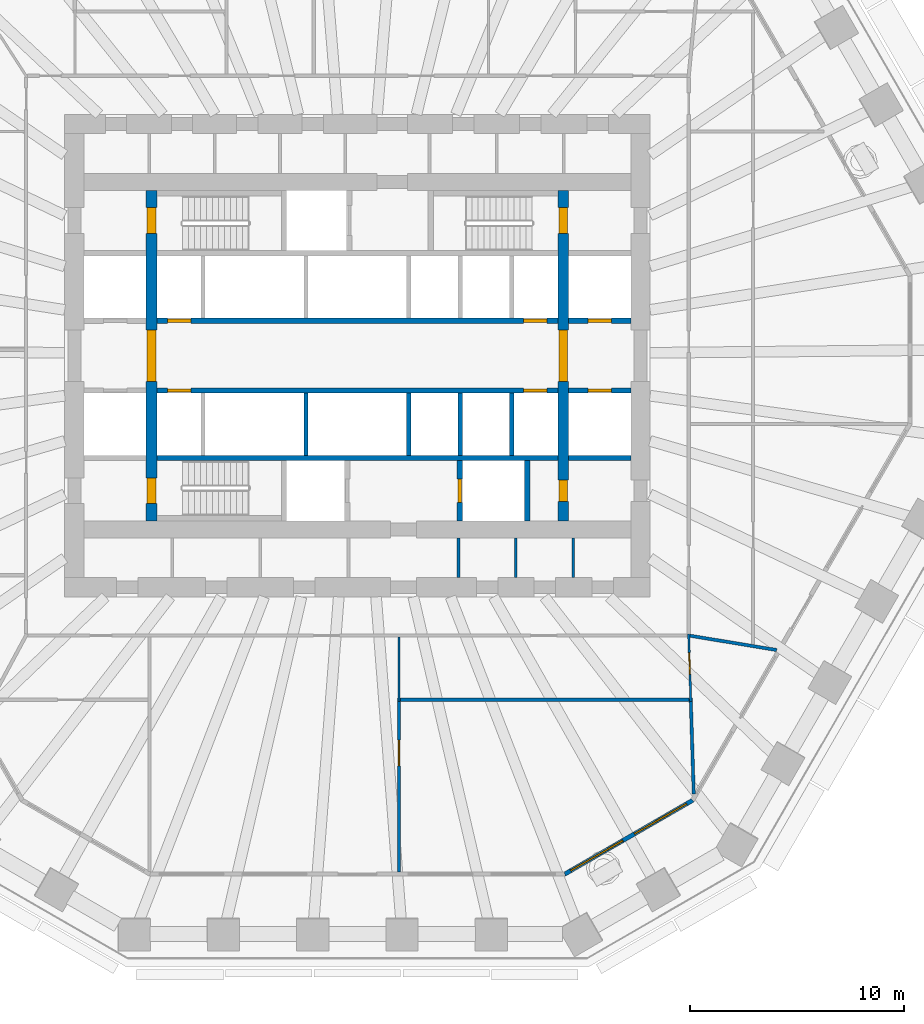
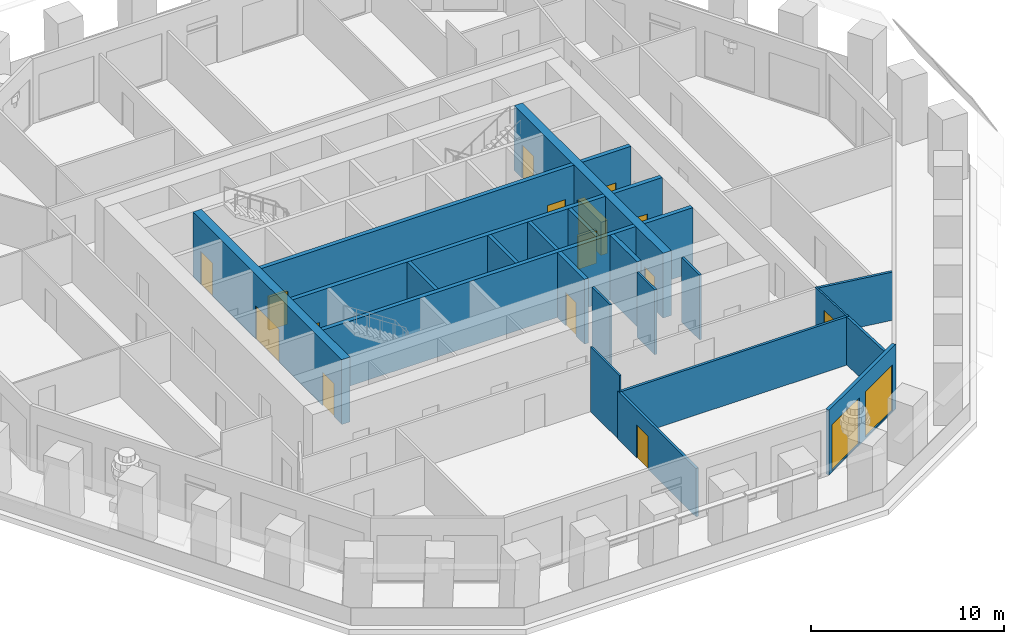
# One storey, part 5 of 13: 24 walls, 15 doors, 2 windows, 17 openings.
"""IFC4 building model written with IfcOpenShell, lengths in metres."""

import ifcopenshell
import ifcopenshell.guid

model = None  # the IFC model being written
_history = None  # IfcOwnerHistory: only IFC2X3 demands one
_inside = {}  # id of a spatial element -> (the spatial element, [elements in it])
_under = {}  # id of a project, library or spatial element -> (it, [spatial elements below it])
_declared = {}  # id of a project -> (the project, [libraries it declares])
_typed = {}  # id of a type object -> (the type object, [elements of that type])
_made_of = {}  # id of a material, layer set ... -> (it, [elements and type objects made of it])


def new_model(schema):
    """Start an empty IFC model of exactly this schema.

    Asked for "IFC4X3", IfcOpenShell would pick the latest addendum, in which some entities
    have other attributes; the version numbers below select the first issue.
    IFC2X3 requires an IfcOwnerHistory on every rooted entity: one is made here for all.
    """
    global model, _history
    if schema == "IFC4X3":
        model = ifcopenshell.file(schema_version=(4, 3, 0, 0))
    else:
        model = ifcopenshell.file(schema=schema)
    _inside.clear()
    _under.clear()
    _declared.clear()
    _typed.clear()
    _made_of.clear()
    _history = None
    if model.schema == "IFC2X3":
        org = make("IfcOrganization", Name="unknown")
        user = make(
            "IfcPersonAndOrganization",
            ThePerson=make("IfcPerson", FamilyName="unknown"),
            TheOrganization=org,
        )
        app = make(
            "IfcApplication",
            ApplicationDeveloper=org,
            Version="unknown",
            ApplicationFullName="unknown",
            ApplicationIdentifier="unknown",
        )
        _history = make(
            "IfcOwnerHistory",
            OwningUser=user,
            OwningApplication=app,
            ChangeAction="ADDED",
            CreationDate=0,
        )
    return model


def make(cls, **values):
    """One entity of the class cls with the attributes given. An attribute that is None is left unset."""
    return model.create_entity(
        cls, **{name: value for name, value in values.items() if value is not None}
    )


def rooted(cls, **values):
    """An entity with a GlobalId (a new one), such as an element, a storey or a relation."""
    return make(cls, GlobalId=ifcopenshell.guid.new(), OwnerHistory=_history, **values)


def si_unit(unit_type, name, prefix=None):
    """IfcSIUnit, for example si_unit("LENGTHUNIT", "METRE", prefix="MILLI")."""
    return make("IfcSIUnit", UnitType=unit_type, Prefix=prefix, Name=name)


def assignment(units):
    """IfcUnitAssignment: the units of a project."""
    return None if units is None else make("IfcUnitAssignment", Units=units)


def point(xyz):
    """IfcCartesianPoint."""
    return None if xyz is None else make("IfcCartesianPoint", Coordinates=xyz)


def direction(xyz):
    """IfcDirection."""
    return None if xyz is None else make("IfcDirection", DirectionRatios=xyz)


def frame(location, z_axis=None, x_axis=None):
    """IfcAxis2Placement3D, a coordinate frame: its origin and axes. An axis left out is left unset."""
    return make(
        "IfcAxis2Placement3D",
        Location=point(location),
        Axis=direction(z_axis),
        RefDirection=direction(x_axis),
    )


def frame_2d(location, x_axis=None):
    """IfcAxis2Placement2D, a coordinate frame in the plane: its origin and x axis."""
    return make(
        "IfcAxis2Placement2D", Location=point(location), RefDirection=direction(x_axis)
    )


def origin():
    """The frame at (0, 0, 0) with its axes left unset."""
    return frame((0.0, 0.0, 0.0))


def place(relative_to, where):
    """IfcLocalPlacement: puts the frame where relative to a parent placement (None: the world)."""
    return make(
        "IfcLocalPlacement", PlacementRelTo=relative_to, RelativePlacement=where
    )


def context(
    kind, dimensions, precision=None, world=None, true_north=None, identifier=None
):
    """IfcGeometricRepresentationContext, for example the 3D "Model" context."""
    return make(
        "IfcGeometricRepresentationContext",
        ContextIdentifier=identifier,
        ContextType=kind,
        CoordinateSpaceDimension=dimensions,
        Precision=precision,
        WorldCoordinateSystem=world,
        TrueNorth=true_north,
    )


def subcontext(parent, identifier, kind, view, scale=None):
    """IfcGeometricRepresentationSubContext, for example "Body" below "Model"."""
    return make(
        "IfcGeometricRepresentationSubContext",
        ContextIdentifier=identifier,
        ContextType=kind,
        ParentContext=parent,
        TargetScale=scale,
        TargetView=view,
    )


def project(units=None, contexts=None):
    """IfcProject with its units and contexts."""
    return rooted(
        "IfcProject",
        Name="project",
        RepresentationContexts=contexts,
        UnitsInContext=assignment(units),
    )


def spatial(cls, under=None, at=None, **own):
    """A site, building, storey or space (cls), placed at a placement, below another one or the project."""
    s = rooted(cls, ObjectPlacement=at, **own)
    if under is not None:
        _under.setdefault(under.id(), (under, []))[1].append(s)
    return s


def polyline(points):
    """IfcPolyline through the points."""
    return make("IfcPolyline", Points=[point(p) for p in points])


def profile(cls, at=None, kind="AREA", **sizes):
    """A parametric profile (cls). Its sizes go by their IFC names, for example OverallWidth=200.0."""
    return make(cls, ProfileType=kind, Position=at, **sizes)


def rectangle(**sizes):
    """IfcRectangleProfileDef."""
    return profile("IfcRectangleProfileDef", **sizes)


def outline(outer, holes=None, kind="AREA"):
    """IfcArbitraryClosedProfileDef: a profile drawn as a closed curve; with holes, ...WithVoids."""
    if holes is None:
        return make("IfcArbitraryClosedProfileDef", ProfileType=kind, OuterCurve=outer)
    return make(
        "IfcArbitraryProfileDefWithVoids",
        ProfileType=kind,
        OuterCurve=outer,
        InnerCurves=holes,
    )


def extrude(swept, where, along, depth):
    """IfcExtrudedAreaSolid: the profile swept, set in the frame where, extruded along a direction by depth."""
    return make(
        "IfcExtrudedAreaSolid",
        SweptArea=swept,
        Position=where,
        ExtrudedDirection=direction(along),
        Depth=depth,
    )


def shape(context_of_items, identifier, shape_type, items):
    """IfcShapeRepresentation: the items that make up one representation, for example the "Body"."""
    return make(
        "IfcShapeRepresentation",
        ContextOfItems=context_of_items,
        RepresentationIdentifier=identifier,
        RepresentationType=shape_type,
        Items=items,
    )


def material(Name=None, Category=None):
    """IfcMaterial."""
    return make("IfcMaterial", Name=Name, Category=Category)


def layer(
    of_material, thickness, ventilated=None, Name=None, Category=None, Priority=None
):
    """IfcMaterialLayer: one layer of a wall or slab, of a material (None: an air gap)."""
    return make(
        "IfcMaterialLayer",
        Material=of_material,
        LayerThickness=thickness,
        IsVentilated=ventilated,
        Name=Name,
        Category=Category,
        Priority=Priority,
    )


def layer_set(layers, Name=None):
    """IfcMaterialLayerSet."""
    return make("IfcMaterialLayerSet", MaterialLayers=layers, LayerSetName=Name)


def made_of(thing, what):
    """Note that an element or type object is made of a material, layer set ...; save() writes the relation."""
    if what is not None:
        _made_of.setdefault(what.id(), (what, []))[1].append(thing)
    return thing


def type_object(cls, material=None, **own):
    """A type object (cls), such as IfcWallType, which elements share."""
    return made_of(rooted(cls, **own), material)


def element(
    cls,
    number,
    at=None,
    inside=None,
    cuts=None,
    type_object=None,
    material=None,
    context=None,
    identifier="Body",
    shape_type=None,
    held_by="IfcProductDefinitionShape",
    body=None,
    shapes=None,
    **own,
):
    """One element of the class cls, such as IfcWall. Its Tag is "e" and its number.

    at: its placement. inside: the storey or other place that contains it. cuts: it is an
    opening in that element (IfcRelVoidsElement). A single representation is given by context,
    identifier, shape_type and body (its items); several are given by shapes. held_by: the class
    of the entity that holds the representations. save() writes the other relations.
    """
    e = rooted(cls, Tag="e%d" % number, ObjectPlacement=at, **own)
    if body is not None:
        shapes = [shape(context, identifier, shape_type, body)]
    if shapes is not None:
        e.Representation = make(held_by, Representations=shapes)
    if inside is not None:
        _inside.setdefault(inside.id(), (inside, []))[1].append(e)
    if cuts is not None:
        rooted(
            "IfcRelVoidsElement", RelatingBuildingElement=cuts, RelatedOpeningElement=e
        )
    if type_object is not None:
        _typed.setdefault(type_object.id(), (type_object, []))[1].append(e)
    return made_of(e, material)


def fill(opening, filler):
    """IfcRelFillsElement: the door or window that sits in an opening."""
    return rooted(
        "IfcRelFillsElement",
        RelatingOpeningElement=opening,
        RelatedBuildingElement=filler,
    )


def aggregate(whole, parts):
    """IfcRelAggregates: a whole, such as a stair, and the parts it consists of."""
    return rooted("IfcRelAggregates", RelatingObject=whole, RelatedObjects=parts)


def save(model, path):
    """Write the relations noted so far, then the file.

    IfcRelAggregates (storeys below a building ...), IfcRelContainedInSpatialStructure (elements
    in a storey), IfcRelDefinesByType, IfcRelAssociatesMaterial and IfcRelDeclares: one each for
    every whole, place, type object, material and project.
    """
    for whole, parts in _under.values():
        aggregate(whole, parts)
    for where, things in _inside.values():
        rooted(
            "IfcRelContainedInSpatialStructure",
            RelatedElements=things,
            RelatingStructure=where,
        )
    for kind, things in _typed.values():
        rooted("IfcRelDefinesByType", RelatedObjects=things, RelatingType=kind)
    for what, things in _made_of.values():
        rooted("IfcRelAssociatesMaterial", RelatedObjects=things, RelatingMaterial=what)
    for by, libraries in _declared.values():
        rooted("IfcRelDeclares", RelatingContext=by, RelatedDefinitions=libraries)
    model.write(path)


model = new_model("IFC4")

# Units and contexts
model_context = context("Model", 3, precision=1e-05, world=origin(), true_north=direction((0.0, 1.0)))
body_context = subcontext(model_context, "Body", "Model", "MODEL_VIEW")
ifc_project = project(units=[si_unit("LENGTHUNIT", "METRE"), si_unit("AREAUNIT", "SQUARE_METRE"), si_unit("VOLUMEUNIT", "CUBIC_METRE"), si_unit("PLANEANGLEUNIT", "RADIAN"), si_unit("MASSUNIT", "GRAM", prefix="KILO")], contexts=[model_context])

# Site, building, storey
site_placement = place(None, origin())
site = spatial("IfcSite", under=ifc_project, at=site_placement, CompositionType="ELEMENT")
building_placement = place(site_placement, origin())
building = spatial("IfcBuilding", under=site, at=building_placement, Name="Frailejon Research Tower", CompositionType="ELEMENT")
storey_placement = place(building_placement, frame((0.0, 0.0, 23.39990234375)))
storey = spatial("IfcBuildingStorey", under=building, at=storey_placement, Name="L05", CompositionType="ELEMENT", Elevation=23.39990234375)

# Walls
ifc_material_1 = material(Name="Plasterboard on steel studs", Category="steel")
ifc_layer_1 = layer(ifc_material_1, 0.125)
ifc_layer_set_1 = layer_set([ifc_layer_1], Name="Core partition 125")
wall_type_1 = type_object("IfcWallType", Name="Core partition 125", PredefinedType="PARTITIONING", material=ifc_layer_set_1)
for number, where, z_axis, x_axis, name in (
    (1, (4.71240234375, -10.35009765625, 0.0), (0.0, 0.0, 1.0), (0.0, 1.0, 0.0), "Core partition"),
    (2, (7.3916015625, -10.35009765625, 0.0), (0.0, 0.0, 1.0), (0.0, 1.0, 0.0), "Core partition"),
    (3, (10.07080078125, -10.35009765625, 0.0), (0.0, 0.0, 1.0), (0.0, 1.0, 0.0), "Core partition"),
):
    element("IfcWall", number, at=place(storey_placement, frame(where, z_axis=z_axis, x_axis=x_axis)), inside=storey, type_object=wall_type_1, Name=name, PredefinedType="PARTITIONING", context=body_context, shape_type="SweptSolid", body=[
        extrude(rectangle(XDim=1.85009765625, YDim=0.125, at=frame_2d((0.925048828125, 0.0))), origin(), (0.0, 0.0, 1.0), 4.10009765625),
    ])

# Wall, openings, doors
ifc_material_2 = material(Name="Concrete C70/85", Category="concrete")
ifc_layer_2 = layer(ifc_material_2, 0.5)
ifc_layer_set_2 = layer_set([ifc_layer_2], Name="Core shear wall 500 C70/85")
wall_type_2 = type_object("IfcWallType", Name="Core shear wall 500 C70/85", PredefinedType="SHEAR", material=ifc_layer_set_2)
wall_1_placement = place(storey_placement, frame((-9.60009765625, -7.699951171875, 0.0), z_axis=(0.0, 0.0, 1.0), x_axis=(0.0, 1.0, 0.0)))
wall_1 = element("IfcWall", 4, at=wall_1_placement, inside=storey, type_object=wall_type_2, Name="Core shear wall", PredefinedType="SHEAR", context=body_context, shape_type="SweptSolid", body=[
    extrude(rectangle(XDim=15.39990234375, YDim=0.5, at=frame_2d((7.699951171875, 0.0))), origin(), (0.0, 0.0, 1.0), 4.10009765625),
])
opening_1_placement = place(wall_1_placement, frame((6.5, 0.0, 0.0)))
opening_1 = element("IfcOpeningElement", 5, at=opening_1_placement, cuts=wall_1, Name="Opening D2", PredefinedType="OPENING", context=body_context, shape_type="SweptSolid", body=[
    extrude(rectangle(XDim=2.39990234375, YDim=2.10009765625, at=frame_2d((1.199951171875, 1.050048828125))), frame((0.0, 0.260009765625, 0.0), z_axis=(0.0, -1.0, 0.0), x_axis=(1.0, 0.0, 0.0)), (0.0, 0.0, 1.0), 0.52001953125),
])
opening_2_placement = place(wall_1_placement, frame((13.39990234375, 0.0, 0.0)))
opening_2 = element("IfcOpeningElement", 6, at=opening_2_placement, cuts=wall_1, Name="Opening D1", PredefinedType="OPENING", context=body_context, shape_type="SweptSolid", body=[
    extrude(rectangle(XDim=1.199951171875, YDim=2.10009765625, at=frame_2d((0.60009765625, 1.050048828125))), frame((0.0, 0.260009765625, 0.0), z_axis=(0.0, -1.0, 0.0), x_axis=(1.0, 0.0, 0.0)), (0.0, 0.0, 1.0), 0.52001953125),
])
opening_3_placement = place(wall_1_placement, frame((0.800048828125, 0.0, 0.0)))
opening_3 = element("IfcOpeningElement", 7, at=opening_3_placement, cuts=wall_1, Name="Opening D1", PredefinedType="OPENING", context=body_context, shape_type="SweptSolid", body=[
    extrude(rectangle(XDim=1.199951171875, YDim=2.10009765625, at=frame_2d((0.60009765625, 1.050048828125))), frame((0.0, 0.260009765625, 0.0), z_axis=(0.0, -1.0, 0.0), x_axis=(1.0, 0.0, 0.0)), (0.0, 0.0, 1.0), 0.52001953125),
])
ifc_material_3 = material(Name="Steel", Category="steel")
door_type_1 = type_object("IfcDoorType", Name="Lobby double door", OperationType="DOUBLE_DOOR_SINGLE_SWING", PredefinedType="DOOR", material=ifc_material_3)
door_1_placement = place(opening_1_placement, origin())
door_1 = element("IfcDoor", 8, at=door_1_placement, inside=storey, type_object=door_type_1, Name="Lobby door", OperationType="DOUBLE_DOOR_SINGLE_SWING", OverallHeight=2.10009765625, OverallWidth=2.39990234375, PredefinedType="DOOR", context=body_context, shape_type="SweptSolid", body=[
    extrude(rectangle(XDim=2.39990234375, YDim=2.10009765625, at=frame_2d((1.199951171875, 1.050048828125))), frame((0.0, 0.199951171875, 0.0), z_axis=(0.0, -1.0, 0.0), x_axis=(1.0, 0.0, 0.0)), (0.0, 0.0, 1.0), 0.39990234375),
])
fill(opening_1, door_1)
ifc_material_4 = material(Name="Steel", Category="steel")
door_type_2 = type_object("IfcDoorType", Name="Stair door", OperationType="SINGLE_SWING_LEFT", PredefinedType="DOOR", material=ifc_material_4)
door_2_placement = place(opening_2_placement, origin())
door_2 = element("IfcDoor", 9, at=door_2_placement, inside=storey, type_object=door_type_2, Name="Stair door ST1", OperationType="SINGLE_SWING_LEFT", OverallHeight=2.10009765625, OverallWidth=1.199951171875, PredefinedType="DOOR", context=body_context, shape_type="SweptSolid", body=[
    extrude(rectangle(XDim=1.199951171875, YDim=2.10009765625, at=frame_2d((0.60009765625, 1.050048828125))), frame((0.0, 0.199951171875, 0.0), z_axis=(0.0, -1.0, 0.0), x_axis=(1.0, 0.0, 0.0)), (0.0, 0.0, 1.0), 0.39990234375),
])
fill(opening_2, door_2)
door_3_placement = place(opening_3_placement, origin())
door_3 = element("IfcDoor", 10, at=door_3_placement, inside=storey, type_object=door_type_2, Name="Stair door ST2", OperationType="SINGLE_SWING_LEFT", OverallHeight=2.10009765625, OverallWidth=1.199951171875, PredefinedType="DOOR", context=body_context, shape_type="SweptSolid", body=[
    extrude(rectangle(XDim=1.199951171875, YDim=2.10009765625, at=frame_2d((0.60009765625, 1.050048828125))), frame((0.0, 0.199951171875, 0.0), z_axis=(0.0, -1.0, 0.0), x_axis=(1.0, 0.0, 0.0)), (0.0, 0.0, 1.0), 0.39990234375),
])
fill(opening_3, door_3)

wall_2_placement = place(storey_placement, frame((9.60009765625, -7.699951171875, 0.0), z_axis=(0.0, 0.0, 1.0), x_axis=(0.0, 1.0, 0.0)))
wall_2 = element("IfcWall", 11, at=wall_2_placement, inside=storey, type_object=wall_type_2, Name="Core shear wall", PredefinedType="SHEAR", context=body_context, shape_type="SweptSolid", body=[
    extrude(rectangle(XDim=15.39990234375, YDim=0.5, at=frame_2d((7.699951171875, 0.0))), origin(), (0.0, 0.0, 1.0), 4.10009765625),
])
opening_4_placement = place(wall_2_placement, frame((6.5, 0.0, 0.0)))
opening_4 = element("IfcOpeningElement", 12, at=opening_4_placement, cuts=wall_2, Name="Opening D2", PredefinedType="OPENING", context=body_context, shape_type="SweptSolid", body=[
    extrude(rectangle(XDim=2.39990234375, YDim=2.10009765625, at=frame_2d((1.199951171875, 1.050048828125))), frame((0.0, 0.260009765625, 0.0), z_axis=(0.0, -1.0, 0.0), x_axis=(1.0, 0.0, 0.0)), (0.0, 0.0, 1.0), 0.52001953125),
])
opening_5_placement = place(wall_2_placement, frame((13.39990234375, 0.0, 0.0)))
opening_5 = element("IfcOpeningElement", 13, at=opening_5_placement, cuts=wall_2, Name="Opening D1", PredefinedType="OPENING", context=body_context, shape_type="SweptSolid", body=[
    extrude(rectangle(XDim=1.199951171875, YDim=2.10009765625, at=frame_2d((0.60009765625, 1.050048828125))), frame((0.0, 0.260009765625, 0.0), z_axis=(0.0, -1.0, 0.0), x_axis=(1.0, 0.0, 0.0)), (0.0, 0.0, 1.0), 0.52001953125),
])
opening_6_placement = place(wall_2_placement, frame((0.89990234375, 0.0, 0.0)))
opening_6 = element("IfcOpeningElement", 14, at=opening_6_placement, cuts=wall_2, Name="Opening D4", PredefinedType="OPENING", context=body_context, shape_type="SweptSolid", body=[
    extrude(rectangle(XDim=1.0, YDim=2.10009765625, at=frame_2d((0.5, 1.050048828125))), frame((0.0, 0.260009765625, 0.0), z_axis=(0.0, -1.0, 0.0), x_axis=(1.0, 0.0, 0.0)), (0.0, 0.0, 1.0), 0.52001953125),
])
door_4_placement = place(opening_4_placement, origin())
door_4 = element("IfcDoor", 15, at=door_4_placement, inside=storey, type_object=door_type_1, Name="Lobby door", OperationType="DOUBLE_DOOR_SINGLE_SWING", OverallHeight=2.10009765625, OverallWidth=2.39990234375, PredefinedType="DOOR", context=body_context, shape_type="SweptSolid", body=[
    extrude(rectangle(XDim=2.39990234375, YDim=2.10009765625, at=frame_2d((1.199951171875, 1.050048828125))), frame((0.0, 0.199951171875, 0.0), z_axis=(0.0, -1.0, 0.0), x_axis=(1.0, 0.0, 0.0)), (0.0, 0.0, 1.0), 0.39990234375),
])
fill(opening_4, door_4)
ifc_material_5 = material(Name="Steel", Category="steel")
door_type_3 = type_object("IfcDoorType", Name="Service door", OperationType="SINGLE_SWING_LEFT", PredefinedType="DOOR", material=ifc_material_5)
door_5_placement = place(opening_6_placement, origin())
door_5 = element("IfcDoor", 16, at=door_5_placement, inside=storey, type_object=door_type_3, Name="Riser door", OperationType="SINGLE_SWING_LEFT", OverallHeight=2.10009765625, OverallWidth=1.0, PredefinedType="DOOR", context=body_context, shape_type="SweptSolid", body=[
    extrude(rectangle(XDim=1.0, YDim=2.10009765625, at=frame_2d((0.5, 1.050048828125))), frame((0.0, 0.199951171875, 0.0), z_axis=(0.0, -1.0, 0.0), x_axis=(1.0, 0.0, 0.0)), (0.0, 0.0, 1.0), 0.39990234375),
])
fill(opening_6, door_5)
door_6_placement = place(opening_5_placement, origin())
door_6 = element("IfcDoor", 17, at=door_6_placement, inside=storey, type_object=door_type_2, Name="Stair door ST3", OperationType="SINGLE_SWING_LEFT", OverallHeight=2.10009765625, OverallWidth=1.199951171875, PredefinedType="DOOR", context=body_context, shape_type="SweptSolid", body=[
    extrude(rectangle(XDim=1.199951171875, YDim=2.10009765625, at=frame_2d((0.60009765625, 1.050048828125))), frame((0.0, 0.199951171875, 0.0), z_axis=(0.0, -1.0, 0.0), x_axis=(1.0, 0.0, 0.0)), (0.0, 0.0, 1.0), 0.39990234375),
])
fill(opening_5, door_6)

# Wall
ifc_material_6 = material(Name="Gypsum board and masonry partition", Category="masonry")
ifc_layer_3 = layer(ifc_material_6, 0.14990234375)
ifc_layer_set_3 = layer_set([ifc_layer_3], Name="Laboratory partition, blockwork 150")
wall_type_3 = type_object("IfcWallType", Name="Laboratory partition, blockwork 150", PredefinedType="PARTITIONING", material=ifc_layer_set_3)
wall_3_placement = place(storey_placement, frame((2.014404296875, -16.050048828125, 0.0), z_axis=(0.0, 0.0, 1.0), x_axis=(1.0, 0.0, 0.0)))
element("IfcWall", 18, at=wall_3_placement, inside=storey, type_object=wall_type_3, Name="T:IW:L05:020", PredefinedType="PARTITIONING", context=body_context, shape_type="SweptSolid", body=[
    extrude(rectangle(XDim=13.4560546875, YDim=0.14990234375, at=frame_2d((6.72802734375, 0.0))), origin(), (0.0, 0.0, 1.0), 3.050048828125),
])

# Wall, opening, door
wall_4_placement = place(storey_placement, frame((1.939208984375, -24.07666015625, 0.0), z_axis=(0.0, 0.0, 1.0), x_axis=(0.0, 1.0, 0.0)))
wall_4 = element("IfcWall", 19, at=wall_4_placement, inside=storey, type_object=wall_type_3, Name="T:IW:L05:022", PredefinedType="PARTITIONING", context=body_context, shape_type="SweptSolid", body=[
    extrude(rectangle(XDim=8.1015625, YDim=0.14990234375, at=frame_2d((4.05078125, 0.0))), origin(), (0.0, 0.0, 1.0), 3.050048828125),
])
opening_7_placement = place(wall_4_placement, frame((4.94482421875, 0.0, 0.0)))
opening_7 = element("IfcOpeningElement", 20, at=opening_7_placement, cuts=wall_4, Name="Opening D1288", PredefinedType="OPENING", context=body_context, shape_type="SweptSolid", body=[
    extrude(rectangle(XDim=1.199951171875, YDim=2.10009765625, at=frame_2d((0.60009765625, 1.050048828125))), frame((0.0, 0.0849609375, 0.0), z_axis=(0.0, -1.0, 0.0), x_axis=(1.0, 0.0, 0.0)), (0.0, 0.0, 1.0), 0.169921875),
])
ifc_material_7 = material(Name="Timber door leaf", Category="wood")
door_type_4 = type_object("IfcDoorType", Name="Door laboratory, timber, vision panel 1200", OperationType="NOTDEFINED", PredefinedType="DOOR", material=ifc_material_7)
door_7_placement = place(opening_7_placement, origin())
door_7 = element("IfcDoor", 21, at=door_7_placement, inside=storey, type_object=door_type_4, Name="D1288", OperationType="DOUBLE_DOOR_SINGLE_SWING", OverallHeight=2.10009765625, OverallWidth=1.199951171875, PredefinedType="DOOR", context=body_context, shape_type="SweptSolid", body=[
    extrude(rectangle(XDim=1.199951171875, YDim=2.10009765625, at=frame_2d((0.60009765625, 1.050048828125))), frame((0.0, 0.02490234375, 0.0), z_axis=(0.0, -1.0, 0.0), x_axis=(1.0, 0.0, 0.0)), (0.0, 0.0, 1.0), 0.050048828125),
])
fill(opening_7, door_7)

# Walls
wall_5_placement = place(storey_placement, frame((15.54296875, -15.97509765625, 0.0), z_axis=(0.0, 0.0, 1.0), x_axis=(0.031800347957, -0.999494241039, 0.0)))
element("IfcWall", 22, at=wall_5_placement, inside=storey, type_object=wall_type_3, Name="T:IW:L05:023", PredefinedType="PARTITIONING", context=body_context, shape_type="SweptSolid", body=[
    extrude(rectangle(XDim=4.46044921875, YDim=0.14990234375, at=frame_2d((2.230224609375, 0.0))), origin(), (0.0, 0.0, 1.0), 3.050048828125),
])
wall_6_placement = place(storey_placement, frame((15.499267578125, -13.05810546875, 0.0), z_axis=(0.0, 0.0, 1.0), x_axis=(0.986647891311, -0.162867856163, 0.0)))
element("IfcWall", 23, at=wall_6_placement, inside=storey, type_object=wall_type_3, Name="T:IW:L05:024", PredefinedType="PARTITIONING", context=body_context, shape_type="SweptSolid", body=[
    extrude(rectangle(XDim=4.11181640625, YDim=0.14990234375, at=frame_2d((2.055908203125, 0.0))), origin(), (0.0, 0.0, 1.0), 3.050048828125),
])
ifc_material_8 = material(Name="Gypsum board and masonry partition", Category="masonry")
ifc_layer_4 = layer(ifc_material_8, 0.10009765625)
ifc_layer_set_4 = layer_set([ifc_layer_4], Name="Partition, gypsum on steel studs 100")
wall_type_4 = type_object("IfcWallType", Name="Partition, gypsum on steel studs 100", PredefinedType="PARTITIONING", material=ifc_layer_set_4)
wall_7_placement = place(storey_placement, frame((1.939208984375, -16.125, 0.0), z_axis=(0.0, 0.0, 1.0), x_axis=(0.0, 1.0, 0.0)))
element("IfcWall", 24, at=wall_7_placement, inside=storey, type_object=wall_type_4, Name="T:IW:L05:033", PredefinedType="PARTITIONING", context=body_context, shape_type="SweptSolid", body=[
    extrude(rectangle(XDim=3.0, YDim=0.10009765625, at=frame_2d((1.5, 0.0))), origin(), (0.0, 0.0, 1.0), 4.10009765625),
])

# Wall, opening, door
wall_8_placement = place(storey_placement, frame((15.447509765625, -12.97509765625, 0.0), z_axis=(0.0, 0.0, 1.0), x_axis=(0.031761985657, -0.999495460854, 0.0)))
wall_8 = element("IfcWall", 25, at=wall_8_placement, inside=storey, type_object=wall_type_4, Name="T:IW:L05:034", PredefinedType="PARTITIONING", context=body_context, shape_type="SweptSolid", body=[
    extrude(rectangle(XDim=3.151611328125, YDim=0.10009765625, at=frame_2d((1.57568359375, 0.0))), origin(), (0.0, 0.0, 1.0), 3.050048828125),
])
opening_8_placement = place(wall_8_placement, frame((0.880615234375, 0.0, 0.0)))
opening_8 = element("IfcOpeningElement", 26, at=opening_8_placement, cuts=wall_8, Name="Opening D1290", PredefinedType="OPENING", context=body_context, shape_type="SweptSolid", body=[
    extrude(rectangle(XDim=1.0, YDim=2.10009765625, at=frame_2d((0.5, 1.050048828125))), frame((0.0, 0.06005859375, 0.0), z_axis=(0.0, -1.0, 0.0), x_axis=(1.0, 0.0, 0.0)), (0.0, 0.0, 1.0), 0.1201171875),
])
ifc_material_9 = material(Name="Timber door leaf", Category="wood")
door_type_5 = type_object("IfcDoorType", Name="Door single leaf, timber, steel frame 1000", OperationType="NOTDEFINED", PredefinedType="DOOR", material=ifc_material_9)
door_8_placement = place(opening_8_placement, origin())
door_8 = element("IfcDoor", 27, at=door_8_placement, inside=storey, type_object=door_type_5, Name="D1290", OperationType="SINGLE_SWING_LEFT", OverallHeight=2.10009765625, OverallWidth=1.0, PredefinedType="DOOR", context=body_context, shape_type="SweptSolid", body=[
    extrude(rectangle(XDim=1.0, YDim=2.10009765625, at=frame_2d((0.5, 1.050048828125))), frame((0.0, 0.02490234375, 0.0), z_axis=(0.0, -1.0, 0.0), x_axis=(1.0, 0.0, 0.0)), (0.0, 0.0, 1.0), 0.050048828125),
])
fill(opening_8, door_8)

# Walls
ifc_material_10 = material(Name="Concrete C70/85", Category="concrete")
ifc_layer_5 = layer(ifc_material_10, 0.199951171875)
ifc_layer_set_5 = layer_set([ifc_layer_5], Name="Shaft wall 200 C70/85")
wall_type_5 = type_object("IfcWallType", Name="Shaft wall 200 C70/85", PredefinedType="SOLIDWALL", material=ifc_layer_set_5)
for number, where, z_axis, x_axis, name in (
    (28, (-2.39990234375, -4.64990234375, 0.0), (0.0, 0.0, 1.0), (0.0, 1.0, 0.0), "Shaft wall"),
    (29, (2.39990234375, -4.64990234375, 0.0), (0.0, 0.0, 1.0), (0.0, 1.0, 0.0), "Shaft wall"),
    (30, (4.800048828125, -4.64990234375, 0.0), (0.0, 0.0, 1.0), (0.0, 1.0, 0.0), "Shaft wall"),
    (31, (7.199951171875, -4.64990234375, 0.0), (0.0, 0.0, 1.0), (0.0, 1.0, 0.0), "Shaft wall"),
):
    element("IfcWall", number, at=place(storey_placement, frame(where, z_axis=z_axis, x_axis=x_axis)), inside=storey, type_object=wall_type_5, Name=name, PredefinedType="SOLIDWALL", context=body_context, shape_type="SweptSolid", body=[
        extrude(rectangle(XDim=2.89990234375, YDim=0.199951171875, at=frame_2d((1.449951171875, 0.0))), origin(), (0.0, 0.0, 1.0), 4.10009765625),
    ])

# Wall, openings, doors
ifc_material_11 = material(Name="Concrete C70/85", Category="concrete")
ifc_layer_6 = layer(ifc_material_11, 0.25)
ifc_layer_set_6 = layer_set([ifc_layer_6], Name="Shaft wall 250 C70/85")
wall_type_6 = type_object("IfcWallType", Name="Shaft wall 250 C70/85", PredefinedType="SOLIDWALL", material=ifc_layer_set_6)
wall_9_placement = place(storey_placement, frame((-9.35009765625, 1.625, 0.0), z_axis=(0.0, 0.0, 1.0), x_axis=(1.0, 0.0, 0.0)))
wall_9 = element("IfcWall", 32, at=wall_9_placement, inside=storey, type_object=wall_type_6, Name="Shaft wall", PredefinedType="SOLIDWALL", context=body_context, shape_type="SweptSolid", body=[
    extrude(rectangle(XDim=18.7001953125, YDim=0.25, at=frame_2d((9.35009765625, 0.0))), origin(), (0.0, 0.0, 1.0), 4.10009765625),
])
opening_9_placement = place(wall_9_placement, frame((0.5, 0.0, 0.0)))
opening_9 = element("IfcOpeningElement", 33, at=opening_9_placement, cuts=wall_9, Name="Opening LD", PredefinedType="OPENING", context=body_context, shape_type="SweptSolid", body=[
    extrude(rectangle(XDim=1.10009765625, YDim=2.10009765625, at=frame_2d((0.550048828125, 1.050048828125))), frame((0.0, 0.135009765625, 0.0), z_axis=(0.0, -1.0, 0.0), x_axis=(1.0, 0.0, 0.0)), (0.0, 0.0, 1.0), 0.27001953125),
])
opening_10_placement = place(wall_9_placement, frame((17.10009765625, 0.0, 0.0)))
opening_10 = element("IfcOpeningElement", 34, at=opening_10_placement, cuts=wall_9, Name="Opening LD", PredefinedType="OPENING", context=body_context, shape_type="SweptSolid", body=[
    extrude(rectangle(XDim=1.10009765625, YDim=2.10009765625, at=frame_2d((0.550048828125, 1.050048828125))), frame((0.0, 0.135009765625, 0.0), z_axis=(0.0, -1.0, 0.0), x_axis=(1.0, 0.0, 0.0)), (0.0, 0.0, 1.0), 0.27001953125),
])
ifc_material_12 = material(Name="Steel", Category="steel")
door_type_6 = type_object("IfcDoorType", Name="Lift landing door", OperationType="DOUBLE_DOOR_SLIDING", PredefinedType="DOOR", material=ifc_material_12)
door_9_placement = place(opening_9_placement, origin())
door_9 = element("IfcDoor", 35, at=door_9_placement, inside=storey, type_object=door_type_6, Name="Lift landing door", OperationType="DOUBLE_DOOR_SLIDING", OverallHeight=2.10009765625, OverallWidth=1.10009765625, PredefinedType="DOOR", context=body_context, shape_type="SweptSolid", body=[
    extrude(rectangle(XDim=1.10009765625, YDim=2.10009765625, at=frame_2d((0.550048828125, 1.050048828125))), frame((0.0, 0.074951171875, 0.0), z_axis=(0.0, -1.0, 0.0), x_axis=(1.0, 0.0, 0.0)), (0.0, 0.0, 1.0), 0.14990234375),
])
fill(opening_9, door_9)
door_10_placement = place(opening_10_placement, origin())
door_10 = element("IfcDoor", 36, at=door_10_placement, inside=storey, type_object=door_type_6, Name="Lift landing door", OperationType="DOUBLE_DOOR_SLIDING", OverallHeight=2.10009765625, OverallWidth=1.10009765625, PredefinedType="DOOR", context=body_context, shape_type="SweptSolid", body=[
    extrude(rectangle(XDim=1.10009765625, YDim=2.10009765625, at=frame_2d((0.550048828125, 1.050048828125))), frame((0.0, 0.074951171875, 0.0), z_axis=(0.0, -1.0, 0.0), x_axis=(1.0, 0.0, 0.0)), (0.0, 0.0, 1.0), 0.14990234375),
])
fill(opening_10, door_10)

# Wall, opening, door
wall_10_placement = place(storey_placement, frame((9.85009765625, 1.625, 0.0), z_axis=(0.0, 0.0, 1.0), x_axis=(1.0, 0.0, 0.0)))
wall_10 = element("IfcWall", 37, at=wall_10_placement, inside=storey, type_object=wall_type_6, Name="Shaft wall", PredefinedType="SOLIDWALL", context=body_context, shape_type="SweptSolid", body=[
    extrude(rectangle(XDim=2.89990234375, YDim=0.25, at=frame_2d((1.449951171875, 0.0))), origin(), (0.0, 0.0, 1.0), 4.10009765625),
])
opening_11_placement = place(wall_10_placement, frame((0.89990234375, 0.0, 0.0)))
opening_11 = element("IfcOpeningElement", 38, at=opening_11_placement, cuts=wall_10, Name="Opening LD", PredefinedType="OPENING", context=body_context, shape_type="SweptSolid", body=[
    extrude(rectangle(XDim=1.10009765625, YDim=2.10009765625, at=frame_2d((0.550048828125, 1.050048828125))), frame((0.0, 0.135009765625, 0.0), z_axis=(0.0, -1.0, 0.0), x_axis=(1.0, 0.0, 0.0)), (0.0, 0.0, 1.0), 0.27001953125),
])
door_11_placement = place(opening_11_placement, origin())
door_11 = element("IfcDoor", 39, at=door_11_placement, inside=storey, type_object=door_type_6, Name="Lift landing door", OperationType="DOUBLE_DOOR_SLIDING", OverallHeight=2.10009765625, OverallWidth=1.10009765625, PredefinedType="DOOR", context=body_context, shape_type="SweptSolid", body=[
    extrude(rectangle(XDim=1.10009765625, YDim=2.10009765625, at=frame_2d((0.550048828125, 1.050048828125))), frame((0.0, 0.074951171875, 0.0), z_axis=(0.0, -1.0, 0.0), x_axis=(1.0, 0.0, 0.0)), (0.0, 0.0, 1.0), 0.14990234375),
])
fill(opening_11, door_11)

# Wall, openings, doors
wall_11_placement = place(storey_placement, frame((-9.35009765625, -1.625, 0.0), z_axis=(0.0, 0.0, 1.0), x_axis=(1.0, 0.0, 0.0)))
wall_11 = element("IfcWall", 40, at=wall_11_placement, inside=storey, type_object=wall_type_6, Name="Shaft wall", PredefinedType="SOLIDWALL", context=body_context, shape_type="SweptSolid", body=[
    extrude(rectangle(XDim=18.7001953125, YDim=0.25, at=frame_2d((9.35009765625, 0.0))), origin(), (0.0, 0.0, 1.0), 4.10009765625),
])
opening_12_placement = place(wall_11_placement, frame((0.5, 0.0, 0.0)))
opening_12 = element("IfcOpeningElement", 41, at=opening_12_placement, cuts=wall_11, Name="Opening LD", PredefinedType="OPENING", context=body_context, shape_type="SweptSolid", body=[
    extrude(rectangle(XDim=1.10009765625, YDim=2.10009765625, at=frame_2d((0.550048828125, 1.050048828125))), frame((0.0, 0.135009765625, 0.0), z_axis=(0.0, -1.0, 0.0), x_axis=(1.0, 0.0, 0.0)), (0.0, 0.0, 1.0), 0.27001953125),
])
opening_13_placement = place(wall_11_placement, frame((17.10009765625, 0.0, 0.0)))
opening_13 = element("IfcOpeningElement", 42, at=opening_13_placement, cuts=wall_11, Name="Opening LD", PredefinedType="OPENING", context=body_context, shape_type="SweptSolid", body=[
    extrude(rectangle(XDim=1.10009765625, YDim=2.10009765625, at=frame_2d((0.550048828125, 1.050048828125))), frame((0.0, 0.135009765625, 0.0), z_axis=(0.0, -1.0, 0.0), x_axis=(1.0, 0.0, 0.0)), (0.0, 0.0, 1.0), 0.27001953125),
])
door_12_placement = place(opening_12_placement, origin())
door_12 = element("IfcDoor", 43, at=door_12_placement, inside=storey, type_object=door_type_6, Name="Lift landing door", OperationType="DOUBLE_DOOR_SLIDING", OverallHeight=2.10009765625, OverallWidth=1.10009765625, PredefinedType="DOOR", context=body_context, shape_type="SweptSolid", body=[
    extrude(rectangle(XDim=1.10009765625, YDim=2.10009765625, at=frame_2d((0.550048828125, 1.050048828125))), frame((0.0, 0.074951171875, 0.0), z_axis=(0.0, -1.0, 0.0), x_axis=(1.0, 0.0, 0.0)), (0.0, 0.0, 1.0), 0.14990234375),
])
fill(opening_12, door_12)
door_13_placement = place(opening_13_placement, origin())
door_13 = element("IfcDoor", 44, at=door_13_placement, inside=storey, type_object=door_type_6, Name="Lift landing door", OperationType="DOUBLE_DOOR_SLIDING", OverallHeight=2.10009765625, OverallWidth=1.10009765625, PredefinedType="DOOR", context=body_context, shape_type="SweptSolid", body=[
    extrude(rectangle(XDim=1.10009765625, YDim=2.10009765625, at=frame_2d((0.550048828125, 1.050048828125))), frame((0.0, 0.074951171875, 0.0), z_axis=(0.0, -1.0, 0.0), x_axis=(1.0, 0.0, 0.0)), (0.0, 0.0, 1.0), 0.14990234375),
])
fill(opening_13, door_13)

# Wall, opening, door
wall_12_placement = place(storey_placement, frame((9.85009765625, -1.625, 0.0), z_axis=(0.0, 0.0, 1.0), x_axis=(1.0, 0.0, 0.0)))
wall_12 = element("IfcWall", 45, at=wall_12_placement, inside=storey, type_object=wall_type_6, Name="Shaft wall", PredefinedType="SOLIDWALL", context=body_context, shape_type="SweptSolid", body=[
    extrude(rectangle(XDim=2.89990234375, YDim=0.25, at=frame_2d((1.449951171875, 0.0))), origin(), (0.0, 0.0, 1.0), 4.10009765625),
])
opening_14_placement = place(wall_12_placement, frame((0.89990234375, 0.0, 0.0)))
opening_14 = element("IfcOpeningElement", 46, at=opening_14_placement, cuts=wall_12, Name="Opening LD", PredefinedType="OPENING", context=body_context, shape_type="SweptSolid", body=[
    extrude(rectangle(XDim=1.10009765625, YDim=2.10009765625, at=frame_2d((0.550048828125, 1.050048828125))), frame((0.0, 0.135009765625, 0.0), z_axis=(0.0, -1.0, 0.0), x_axis=(1.0, 0.0, 0.0)), (0.0, 0.0, 1.0), 0.27001953125),
])
door_14_placement = place(opening_14_placement, origin())
door_14 = element("IfcDoor", 47, at=door_14_placement, inside=storey, type_object=door_type_6, Name="Lift landing door", OperationType="DOUBLE_DOOR_SLIDING", OverallHeight=2.10009765625, OverallWidth=1.10009765625, PredefinedType="DOOR", context=body_context, shape_type="SweptSolid", body=[
    extrude(rectangle(XDim=1.10009765625, YDim=2.10009765625, at=frame_2d((0.550048828125, 1.050048828125))), frame((0.0, 0.074951171875, 0.0), z_axis=(0.0, -1.0, 0.0), x_axis=(1.0, 0.0, 0.0)), (0.0, 0.0, 1.0), 0.14990234375),
])
fill(opening_14, door_14)

# Walls
wall_13_placement = place(storey_placement, frame((-9.35009765625, -4.77490234375, 0.0), z_axis=(0.0, 0.0, 1.0), x_axis=(1.0, 0.0, 0.0)))
element("IfcWall", 48, at=wall_13_placement, inside=storey, type_object=wall_type_6, Name="Shaft wall", PredefinedType="SOLIDWALL", context=body_context, shape_type="SweptSolid", body=[
    extrude(rectangle(XDim=18.7001953125, YDim=0.25, at=frame_2d((9.35009765625, 0.0))), origin(), (0.0, 0.0, 1.0), 4.10009765625),
])
wall_14_placement = place(storey_placement, frame((9.85009765625, -4.77490234375, 0.0), z_axis=(0.0, 0.0, 1.0), x_axis=(1.0, 0.0, 0.0)))
element("IfcWall", 49, at=wall_14_placement, inside=storey, type_object=wall_type_6, Name="Shaft wall", PredefinedType="SOLIDWALL", context=body_context, shape_type="SweptSolid", body=[
    extrude(rectangle(XDim=2.89990234375, YDim=0.25, at=frame_2d((1.449951171875, 0.0))), origin(), (0.0, 0.0, 1.0), 4.10009765625),
])

# Wall, opening, door
wall_15_placement = place(storey_placement, frame((4.77490234375, -7.699951171875, 0.0), z_axis=(0.0, 0.0, 1.0), x_axis=(0.0, 1.0, 0.0)))
wall_15 = element("IfcWall", 50, at=wall_15_placement, inside=storey, type_object=wall_type_6, Name="Shaft wall", PredefinedType="SOLIDWALL", context=body_context, shape_type="SweptSolid", body=[
    extrude(rectangle(XDim=2.800048828125, YDim=0.25, at=frame_2d((1.39990234375, 0.0))), origin(), (0.0, 0.0, 1.0), 4.10009765625),
])
opening_15_placement = place(wall_15_placement, frame((0.85009765625, 0.0, 0.0)))
opening_15 = element("IfcOpeningElement", 51, at=opening_15_placement, cuts=wall_15, Name="Opening LD", PredefinedType="OPENING", context=body_context, shape_type="SweptSolid", body=[
    extrude(rectangle(XDim=1.10009765625, YDim=2.10009765625, at=frame_2d((0.550048828125, 1.050048828125))), frame((0.0, 0.135009765625, 0.0), z_axis=(0.0, -1.0, 0.0), x_axis=(1.0, 0.0, 0.0)), (0.0, 0.0, 1.0), 0.27001953125),
])
door_15_placement = place(opening_15_placement, origin())
door_15 = element("IfcDoor", 52, at=door_15_placement, inside=storey, type_object=door_type_6, Name="Lift landing door", OperationType="DOUBLE_DOOR_SLIDING", OverallHeight=2.10009765625, OverallWidth=1.10009765625, PredefinedType="DOOR", context=body_context, shape_type="SweptSolid", body=[
    extrude(rectangle(XDim=1.10009765625, YDim=2.10009765625, at=frame_2d((0.550048828125, 1.050048828125))), frame((0.0, 0.074951171875, 0.0), z_axis=(0.0, -1.0, 0.0), x_axis=(1.0, 0.0, 0.0)), (0.0, 0.0, 1.0), 0.14990234375),
])
fill(opening_15, door_15)

# Wall
wall_16_placement = place(storey_placement, frame((7.925048828125, -7.699951171875, 0.0), z_axis=(0.0, 0.0, 1.0), x_axis=(0.0, 1.0, 0.0)))
element("IfcWall", 53, at=wall_16_placement, inside=storey, type_object=wall_type_6, Name="Shaft wall", PredefinedType="SOLIDWALL", context=body_context, shape_type="SweptSolid", body=[
    extrude(rectangle(XDim=2.800048828125, YDim=0.25, at=frame_2d((1.39990234375, 0.0))), origin(), (0.0, 0.0, 1.0), 4.10009765625),
])

# Wall, openings, windows
ifc_material_13 = material(Name="Concrete C40/50 precast window wall panel", Category="concrete")
ifc_layer_7 = layer(ifc_material_13, 0.199951171875)
ifc_layer_set_7 = layer_set([ifc_layer_7], Name="Window wall 200")
wall_type_7 = type_object("IfcWallType", Name="Window wall 200", PredefinedType="SOLIDWALL", material=ifc_layer_set_7)
wall_17_placement = place(storey_placement, frame((9.669921875, -24.176513671875, 0.0), z_axis=(0.0, 0.0, 1.0), x_axis=(0.866029458321, 0.49999297727, 0.0)))
wall_17 = element("IfcWall", 54, at=wall_17_placement, inside=storey, type_object=wall_type_7, Name="Exterior wall L05", PredefinedType="SOLIDWALL", context=body_context, shape_type="SweptSolid", body=[
    extrude(outline(polyline([(-0.02685546875, -0.10009765625), (1.1279296875, -0.10009765625), (2.282470703125, -0.10009765625), (3.437255859375, -0.10009765625), (4.592041015625, -0.10009765625), (5.74658203125, -0.10009765625), (6.9013671875, -0.10009765625), (6.84765625, 0.10009765625), (5.7109375, 0.10009765625), (4.573974609375, 0.10009765625), (3.437255859375, 0.10009765625), (2.300537109375, 0.10009765625), (1.16357421875, 0.10009765625), (0.02685546875, 0.10009765625), (-0.02685546875, -0.10009765625)])), origin(), (0.0, 0.0, 1.0), 4.10009765625),
])
opening_16_placement = place(wall_17_placement, frame((0.318603515625, 0.0, 0.10009765625)))
opening_16 = element("IfcOpeningElement", 55, at=opening_16_placement, cuts=wall_17, Name="Opening W3", PredefinedType="OPENING", context=body_context, shape_type="SweptSolid", body=[
    extrude(rectangle(XDim=2.800048828125, YDim=2.89990234375, at=frame_2d((1.39990234375, 1.449951171875))), frame((0.0, 0.10986328125, 0.0), z_axis=(0.0, -1.0, 0.0), x_axis=(1.0, 0.0, 0.0)), (0.0, 0.0, 1.0), 0.219970703125),
])
opening_17_placement = place(wall_17_placement, frame((3.756103515625, 0.0, 0.10009765625)))
opening_17 = element("IfcOpeningElement", 56, at=opening_17_placement, cuts=wall_17, Name="Opening W3", PredefinedType="OPENING", context=body_context, shape_type="SweptSolid", body=[
    extrude(rectangle(XDim=2.800048828125, YDim=2.89990234375, at=frame_2d((1.39990234375, 1.449951171875))), frame((0.0, 0.10986328125, 0.0), z_axis=(0.0, -1.0, 0.0), x_axis=(1.0, 0.0, 0.0)), (0.0, 0.0, 1.0), 0.219970703125),
])
ifc_material_14 = material(Name="Aluminium framed double glazing", Category="aluminium")
window_type = type_object("IfcWindowType", Name="Window 2800x2900", PartitioningType="SINGLE_PANEL", PredefinedType="WINDOW", material=ifc_material_14)
window_1_placement = place(opening_16_placement, origin())
window_1 = element("IfcWindow", 57, at=window_1_placement, inside=storey, type_object=window_type, Name="Window L05", OverallHeight=2.89990234375, OverallWidth=2.800048828125, PartitioningType="SINGLE_PANEL", PredefinedType="WINDOW", context=body_context, shape_type="SweptSolid", body=[
    extrude(rectangle(XDim=2.800048828125, YDim=2.89990234375, at=frame_2d((1.39990234375, 1.449951171875))), frame((0.0, 0.030029296875, 0.0), z_axis=(0.0, -1.0, 0.0), x_axis=(1.0, 0.0, 0.0)), (0.0, 0.0, 1.0), 0.06005859375),
])
fill(opening_16, window_1)
window_2_placement = place(opening_17_placement, origin())
window_2 = element("IfcWindow", 58, at=window_2_placement, inside=storey, type_object=window_type, Name="Window L05", OverallHeight=2.89990234375, OverallWidth=2.800048828125, PartitioningType="SINGLE_PANEL", PredefinedType="WINDOW", context=body_context, shape_type="SweptSolid", body=[
    extrude(rectangle(XDim=2.800048828125, YDim=2.89990234375, at=frame_2d((1.39990234375, 1.449951171875))), frame((0.0, 0.030029296875, 0.0), z_axis=(0.0, -1.0, 0.0), x_axis=(1.0, 0.0, 0.0)), (0.0, 0.0, 1.0), 0.06005859375),
])
fill(opening_17, window_2)

save(model, "model.ifc")
